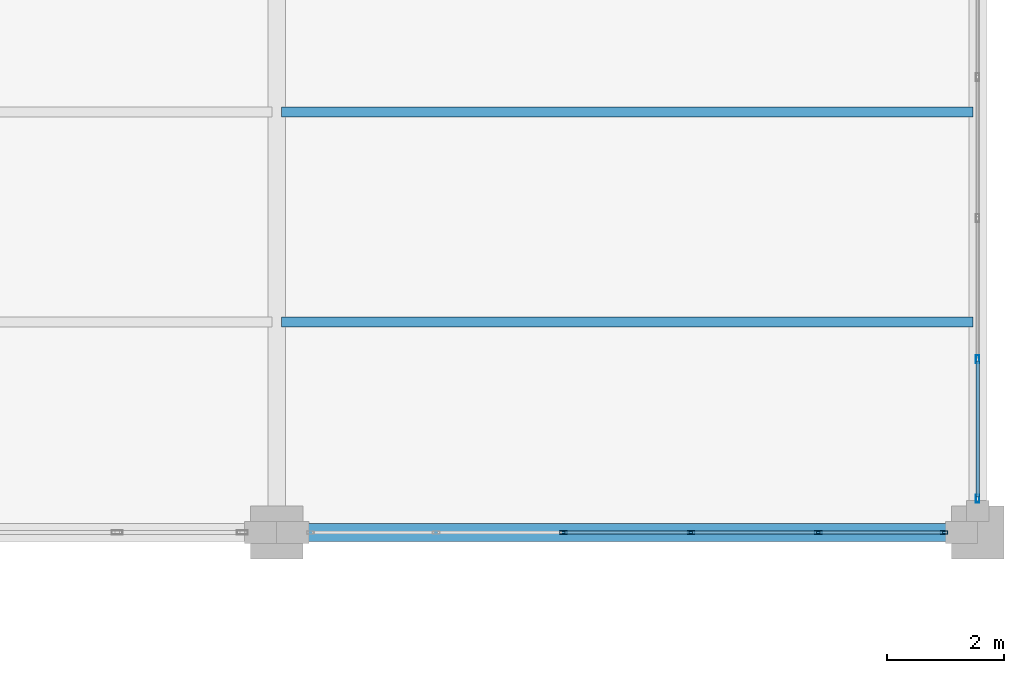
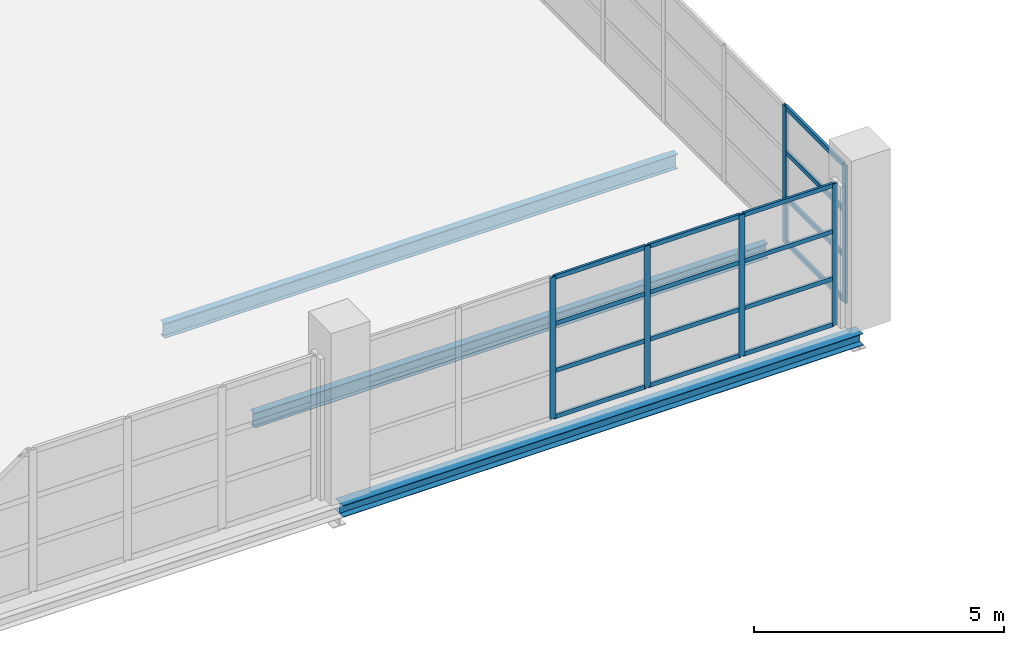
# One storey, part 106 of 158: 22 members, 3 beams, 2 elements without a shape of their own.
"""IFC4 building model written with IfcOpenShell, lengths in metres."""

from ifc_helpers import new_model, si_unit, direction, frame, origin, origin_2d, place, context, subcontext, project, spatial, hollow_rectangle, i_section, extrude, material, layer, layer_set, material_profile, profile_set, type_object, element, aggregate, save


model = new_model("IFC4")

# Units and contexts
model_context = context("Model", 3, precision=1e-05, world=origin(), true_north=direction((0.0, 1.0)))
body_context = subcontext(model_context, "Body", "Model", "MODEL_VIEW")
ifc_project = project(units=[si_unit("LENGTHUNIT", "METRE"), si_unit("AREAUNIT", "SQUARE_METRE"), si_unit("VOLUMEUNIT", "CUBIC_METRE"), si_unit("PLANEANGLEUNIT", "RADIAN"), si_unit("MASSUNIT", "GRAM", prefix="KILO")], contexts=[model_context])

# Site, building, storey
site_placement = place(None, origin())
site = spatial("IfcSite", under=ifc_project, at=site_placement, CompositionType="ELEMENT")
building_placement = place(site_placement, origin())
building = spatial("IfcBuilding", under=site, at=building_placement, Name="Zilviju Railside Exhibition Hall", CompositionType="ELEMENT")
storey_placement = place(building_placement, frame((0.0, 0.0, 4.199951171875)))
storey = spatial("IfcBuildingStorey", under=building, at=storey_placement, Name="L02", CompositionType="ELEMENT", Elevation=4.199951171875)

# Beams
ifc_material_1 = material(Name="Steel S355J2", Category="steel")
ifc_material_profile_1 = material_profile(ifc_material_1, i_section(OverallWidth=0.300048828125, OverallDepth=0.2900390625, WebThickness=0.008544921875, FlangeThickness=0.013916015625, at=origin_2d()), Name="HEA 300")
ifc_profile_set_1 = profile_set([ifc_material_profile_1], Name="Steel S355J2")
beam_type_1 = type_object("IfcBeamType", Name="BM-HEA300", PredefinedType="SPANDREL", material=ifc_profile_set_1)
beam_placement = place(storey_placement, frame((204.0, 84.0, -0.474853515625), z_axis=(1.0, 0.0, 0.0), x_axis=(0.0, 1.0, 0.0)))
element("IfcBeam", 1, at=beam_placement, inside=storey, type_object=beam_type_1, Name="Primary Girder L02 Y=84.0 (204.0..216.0)", PredefinedType="SPANDREL", context=body_context, shape_type="SweptSolid", body=[
    extrude(i_section(OverallWidth=0.300048828125, OverallDepth=0.2900390625, WebThickness=0.008544921875, FlangeThickness=0.013916015625, at=origin_2d()), origin(), (0.0, 0.0, 1.0), 12.0),
])
ifc_material_profile_2 = material_profile(ifc_material_1, i_section(OverallWidth=0.169921875, OverallDepth=0.360107421875, WebThickness=0.008056640625, FlangeThickness=0.0126953125, at=origin_2d()), Name="IPE 360")
ifc_profile_set_2 = profile_set([ifc_material_profile_2], Name="Steel S355J2")
beam_type_2 = type_object("IfcBeamType", Name="BM-IPE360", PredefinedType="JOIST", material=ifc_profile_set_2)
for number, where, z_axis, x_axis, name in (
    (2, (204.080078125, 87.60009765625, -0.510009765625), (1.0, 0.0, 0.0), (0.0, 1.0, 0.0), "Composite Floor Joist L02 Y=87.60 (204.0..216.0)"),
    (3, (204.080078125, 91.199951171875, -0.510009765625), (1.0, 0.0, 0.0), (0.0, 1.0, 0.0), "Composite Floor Joist L02 Y=91.20 (204.0..216.0)"),
):
    element("IfcBeam", number, at=place(storey_placement, frame(where, z_axis=z_axis, x_axis=x_axis)), inside=storey, type_object=beam_type_2, Name=name, PredefinedType="JOIST", context=body_context, shape_type="SweptSolid", body=[
        extrude(i_section(OverallWidth=0.169921875, OverallDepth=0.360107421875, WebThickness=0.008056640625, FlangeThickness=0.0126953125, at=origin_2d()), origin(), (0.0, 0.0, 1.0), 11.83984375),
    ])

# Curtain wall, members
ifc_material_2 = material(Name="Thermally broken aluminium-steel triple-glazed curtain wall", Category="steel")
ifc_layer_1 = layer(ifc_material_2, 0.179931640625)
ifc_layer_set_1 = layer_set([ifc_layer_1], Name="Thermally broken aluminium-steel triple-glazed curtain wall")
curtain_wall_type_1 = type_object("IfcCurtainWallType", Name="CW-BAY-12", PredefinedType="USERDEFINED", material=ifc_layer_set_1)
curtain_wall_1_placement = place(storey_placement, origin())
curtain_wall_1 = element("IfcCurtainWall", 4, at=curtain_wall_1_placement, inside=storey, type_object=curtain_wall_type_1, Name="North Hall Garden Court Curtain Wall L02 (204..216)", ObjectType="GLAZED CURTAIN WALL", PredefinedType="USERDEFINED")
ifc_material_3 = material(Name="Thermally broken anodized aluminium mullion", Category="aluminium")
ifc_material_profile_3 = material_profile(ifc_material_3, hollow_rectangle(XDim=0.054931640625, YDim=0.1298828125, WallThickness=0.0048828125, at=origin_2d()), Name="MULLION 130x55x5")
ifc_profile_set_3 = profile_set([ifc_material_profile_3], Name="Thermally broken anodized aluminium mullion")
member_type_1 = type_object("IfcMemberType", Name="CWM-55x130", PredefinedType="MULLION", material=ifc_profile_set_3)
member_1_placement = place(storey_placement, frame((215.422607421875, 84.0, 0.0), z_axis=(0.0, 0.0, 1.0), x_axis=(0.0, -1.0, 0.0)))
member_1 = element("IfcMember", 5, at=member_1_placement, type_object=member_type_1, Name="CW-12 mullion 1", PredefinedType="MULLION", context=body_context, shape_type="SweptSolid", body=[
    extrude(hollow_rectangle(XDim=0.054931640625, YDim=0.1298828125, WallThickness=0.0048828125, at=origin_2d()), origin(), (0.0, 0.0, 1.0), 3.449951171875),
])
member_2_placement = place(storey_placement, frame((213.27001953125, 84.0, 0.0), z_axis=(0.0, 0.0, 1.0), x_axis=(0.0, -1.0, 0.0)))
member_2 = element("IfcMember", 6, at=member_2_placement, type_object=member_type_1, Name="CW-12 mullion 2", PredefinedType="MULLION", context=body_context, shape_type="SweptSolid", body=[
    extrude(hollow_rectangle(XDim=0.054931640625, YDim=0.1298828125, WallThickness=0.0048828125, at=origin_2d()), origin(), (0.0, 0.0, 1.0), 3.449951171875),
])
member_3_placement = place(storey_placement, frame((211.090087890625, 84.0, 0.0), z_axis=(0.0, 0.0, 1.0), x_axis=(0.0, -1.0, 0.0)))
member_3 = element("IfcMember", 7, at=member_3_placement, type_object=member_type_1, Name="CW-12 mullion 3", PredefinedType="MULLION", context=body_context, shape_type="SweptSolid", body=[
    extrude(hollow_rectangle(XDim=0.054931640625, YDim=0.1298828125, WallThickness=0.0048828125, at=origin_2d()), origin(), (0.0, 0.0, 1.0), 3.449951171875),
])
member_4_placement = place(storey_placement, frame((208.909912109375, 84.0, 0.0), z_axis=(0.0, 0.0, 1.0), x_axis=(0.0, -1.0, 0.0)))
member_4 = element("IfcMember", 8, at=member_4_placement, type_object=member_type_1, Name="CW-12 mullion 4", PredefinedType="MULLION", context=body_context, shape_type="SweptSolid", body=[
    extrude(hollow_rectangle(XDim=0.054931640625, YDim=0.1298828125, WallThickness=0.0048828125, at=origin_2d()), origin(), (0.0, 0.0, 1.0), 3.449951171875),
])

ifc_layer_2 = layer(ifc_material_2, 0.179931640625)
ifc_layer_set_2 = layer_set([ifc_layer_2], Name="Thermally broken aluminium-steel triple-glazed curtain wall")
curtain_wall_type_2 = type_object("IfcCurtainWallType", Name="CW-BAY-15", PredefinedType="USERDEFINED", material=ifc_layer_set_2)
curtain_wall_2_placement = place(storey_placement, origin())
curtain_wall_2 = element("IfcCurtainWall", 9, at=curtain_wall_2_placement, inside=storey, type_object=curtain_wall_type_2, Name="North Hall East Glazed Gable L02 (84..102)", ObjectType="GLAZED CURTAIN WALL", PredefinedType="USERDEFINED")
ifc_material_profile_4 = material_profile(ifc_material_3, hollow_rectangle(XDim=0.06005859375, YDim=0.139892578125, WallThickness=0.0048828125, at=origin_2d()), Name="MULLION 140x60x5")
ifc_profile_set_4 = profile_set([ifc_material_profile_4], Name="Thermally broken anodized aluminium mullion")
member_type_2 = type_object("IfcMemberType", Name="CWM-60x140", PredefinedType="MULLION", material=ifc_profile_set_4)
member_5_placement = place(storey_placement, frame((216.0, 86.96435546875, 0.0), z_axis=(0.0, 0.0, 1.0), x_axis=(1.0, 0.0, 0.0)))
member_5 = element("IfcMember", 10, at=member_5_placement, type_object=member_type_2, Name="CW-15 mullion 7", PredefinedType="MULLION", context=body_context, shape_type="SweptSolid", body=[
    extrude(hollow_rectangle(XDim=0.06005859375, YDim=0.139892578125, WallThickness=0.0048828125, at=origin_2d()), origin(), (0.0, 0.0, 1.0), 3.35009765625),
])
member_6_placement = place(storey_placement, frame((216.0, 84.580078125, 0.0), z_axis=(0.0, 0.0, 1.0), x_axis=(1.0, 0.0, 0.0)))
member_6 = element("IfcMember", 11, at=member_6_placement, type_object=member_type_2, Name="CW-15 mullion 8", PredefinedType="MULLION", context=body_context, shape_type="SweptSolid", body=[
    extrude(hollow_rectangle(XDim=0.06005859375, YDim=0.139892578125, WallThickness=0.0048828125, at=origin_2d()), origin(), (0.0, 0.0, 1.0), 3.35009765625),
])

# Member
ifc_material_4 = material(Name="Thermally broken anodized aluminium transom", Category="aluminium")
ifc_material_profile_5 = material_profile(ifc_material_4, hollow_rectangle(XDim=0.054931640625, YDim=0.10498046875, WallThickness=0.0048828125, at=origin_2d()), Name="TRANSOM 105x55x5")
ifc_profile_set_5 = profile_set([ifc_material_profile_5], Name="Thermally broken anodized aluminium transom")
member_type_3 = type_object("IfcMemberType", Name="CWT-55x105", PredefinedType="USERDEFINED", material=ifc_profile_set_5)
member_7_placement = place(storey_placement, frame((215.39501953125, 84.0, 0.027587890625), z_axis=(-1.0, 0.0, 0.0), x_axis=(0.0, -1.0, 0.0)))
member_7 = element("IfcMember", 12, at=member_7_placement, type_object=member_type_3, Name="CW-12 transom 1.1", ObjectType="TRANSOM", PredefinedType="USERDEFINED", context=body_context, shape_type="SweptSolid", body=[
    extrude(hollow_rectangle(XDim=0.054931640625, YDim=0.10498046875, WallThickness=0.0048828125, at=origin_2d()), origin(), (0.0, 0.0, 1.0), 2.097412109375),
])

member_8_placement = place(storey_placement, frame((215.39501953125, 84.0, 1.150146484375), z_axis=(-1.0, 0.0, 0.0), x_axis=(0.0, -1.0, 0.0)))
member_8 = element("IfcMember", 13, at=member_8_placement, type_object=member_type_3, Name="CW-12 transom 1.2", ObjectType="TRANSOM", PredefinedType="USERDEFINED", context=body_context, shape_type="SweptSolid", body=[
    extrude(hollow_rectangle(XDim=0.054931640625, YDim=0.10498046875, WallThickness=0.0048828125, at=origin_2d()), origin(), (0.0, 0.0, 1.0), 2.097412109375),
])

member_9_placement = place(storey_placement, frame((215.39501953125, 84.0, 2.300048828125), z_axis=(-1.0, 0.0, 0.0), x_axis=(0.0, -1.0, 0.0)))
member_9 = element("IfcMember", 14, at=member_9_placement, type_object=member_type_3, Name="CW-12 transom 1.3", ObjectType="TRANSOM", PredefinedType="USERDEFINED", context=body_context, shape_type="SweptSolid", body=[
    extrude(hollow_rectangle(XDim=0.054931640625, YDim=0.10498046875, WallThickness=0.0048828125, at=origin_2d()), origin(), (0.0, 0.0, 1.0), 2.097412109375),
])

member_10_placement = place(storey_placement, frame((215.39501953125, 84.0, 3.422607421875), z_axis=(-1.0, 0.0, 0.0), x_axis=(0.0, -1.0, 0.0)))
member_10 = element("IfcMember", 15, at=member_10_placement, type_object=member_type_3, Name="CW-12 transom 1.4", ObjectType="TRANSOM", PredefinedType="USERDEFINED", context=body_context, shape_type="SweptSolid", body=[
    extrude(hollow_rectangle(XDim=0.054931640625, YDim=0.10498046875, WallThickness=0.0048828125, at=origin_2d()), origin(), (0.0, 0.0, 1.0), 2.097412109375),
])

member_11_placement = place(storey_placement, frame((213.242431640625, 84.0, 0.027587890625), z_axis=(-1.0, 0.0, 0.0), x_axis=(0.0, -1.0, 0.0)))
member_11 = element("IfcMember", 16, at=member_11_placement, type_object=member_type_3, Name="CW-12 transom 2.1", ObjectType="TRANSOM", PredefinedType="USERDEFINED", context=body_context, shape_type="SweptSolid", body=[
    extrude(hollow_rectangle(XDim=0.054931640625, YDim=0.10498046875, WallThickness=0.0048828125, at=origin_2d()), origin(), (0.0, 0.0, 1.0), 2.125),
])

member_12_placement = place(storey_placement, frame((213.242431640625, 84.0, 1.150146484375), z_axis=(-1.0, 0.0, 0.0), x_axis=(0.0, -1.0, 0.0)))
member_12 = element("IfcMember", 17, at=member_12_placement, type_object=member_type_3, Name="CW-12 transom 2.2", ObjectType="TRANSOM", PredefinedType="USERDEFINED", context=body_context, shape_type="SweptSolid", body=[
    extrude(hollow_rectangle(XDim=0.054931640625, YDim=0.10498046875, WallThickness=0.0048828125, at=origin_2d()), origin(), (0.0, 0.0, 1.0), 2.125),
])

member_13_placement = place(storey_placement, frame((213.242431640625, 84.0, 2.300048828125), z_axis=(-1.0, 0.0, 0.0), x_axis=(0.0, -1.0, 0.0)))
member_13 = element("IfcMember", 18, at=member_13_placement, type_object=member_type_3, Name="CW-12 transom 2.3", ObjectType="TRANSOM", PredefinedType="USERDEFINED", context=body_context, shape_type="SweptSolid", body=[
    extrude(hollow_rectangle(XDim=0.054931640625, YDim=0.10498046875, WallThickness=0.0048828125, at=origin_2d()), origin(), (0.0, 0.0, 1.0), 2.125),
])

member_14_placement = place(storey_placement, frame((213.242431640625, 84.0, 3.422607421875), z_axis=(-1.0, 0.0, 0.0), x_axis=(0.0, -1.0, 0.0)))
member_14 = element("IfcMember", 19, at=member_14_placement, type_object=member_type_3, Name="CW-12 transom 2.4", ObjectType="TRANSOM", PredefinedType="USERDEFINED", context=body_context, shape_type="SweptSolid", body=[
    extrude(hollow_rectangle(XDim=0.054931640625, YDim=0.10498046875, WallThickness=0.0048828125, at=origin_2d()), origin(), (0.0, 0.0, 1.0), 2.125),
])

member_15_placement = place(storey_placement, frame((211.0625, 84.0, 0.027587890625), z_axis=(-1.0, 0.0, 0.0), x_axis=(0.0, -1.0, 0.0)))
member_15 = element("IfcMember", 20, at=member_15_placement, type_object=member_type_3, Name="CW-12 transom 3.1", ObjectType="TRANSOM", PredefinedType="USERDEFINED", context=body_context, shape_type="SweptSolid", body=[
    extrude(hollow_rectangle(XDim=0.054931640625, YDim=0.10498046875, WallThickness=0.0048828125, at=origin_2d()), origin(), (0.0, 0.0, 1.0), 2.125),
])

member_16_placement = place(storey_placement, frame((211.0625, 84.0, 1.150146484375), z_axis=(-1.0, 0.0, 0.0), x_axis=(0.0, -1.0, 0.0)))
member_16 = element("IfcMember", 21, at=member_16_placement, type_object=member_type_3, Name="CW-12 transom 3.2", ObjectType="TRANSOM", PredefinedType="USERDEFINED", context=body_context, shape_type="SweptSolid", body=[
    extrude(hollow_rectangle(XDim=0.054931640625, YDim=0.10498046875, WallThickness=0.0048828125, at=origin_2d()), origin(), (0.0, 0.0, 1.0), 2.125),
])

member_17_placement = place(storey_placement, frame((211.0625, 84.0, 2.300048828125), z_axis=(-1.0, 0.0, 0.0), x_axis=(0.0, -1.0, 0.0)))
member_17 = element("IfcMember", 22, at=member_17_placement, type_object=member_type_3, Name="CW-12 transom 3.3", ObjectType="TRANSOM", PredefinedType="USERDEFINED", context=body_context, shape_type="SweptSolid", body=[
    extrude(hollow_rectangle(XDim=0.054931640625, YDim=0.10498046875, WallThickness=0.0048828125, at=origin_2d()), origin(), (0.0, 0.0, 1.0), 2.125),
])

member_18_placement = place(storey_placement, frame((211.0625, 84.0, 3.422607421875), z_axis=(-1.0, 0.0, 0.0), x_axis=(0.0, -1.0, 0.0)))
member_18 = element("IfcMember", 23, at=member_18_placement, type_object=member_type_3, Name="CW-12 transom 3.4", ObjectType="TRANSOM", PredefinedType="USERDEFINED", context=body_context, shape_type="SweptSolid", body=[
    extrude(hollow_rectangle(XDim=0.054931640625, YDim=0.10498046875, WallThickness=0.0048828125, at=origin_2d()), origin(), (0.0, 0.0, 1.0), 2.125),
])

aggregate(curtain_wall_1, [member_1, member_2, member_3, member_4, member_7, member_8, member_9, member_10, member_11, member_12, member_13, member_14, member_15, member_16, member_17, member_18])

ifc_material_profile_6 = material_profile(ifc_material_4, hollow_rectangle(XDim=0.06005859375, YDim=0.110107421875, WallThickness=0.0048828125, at=origin_2d()), Name="TRANSOM 110x60x5")
ifc_profile_set_6 = profile_set([ifc_material_profile_6], Name="Thermally broken anodized aluminium transom")
member_type_4 = type_object("IfcMemberType", Name="CWT-60x110", PredefinedType="USERDEFINED", material=ifc_profile_set_6)
member_19_placement = place(storey_placement, frame((216.0, 86.934326171875, 0.030029296875), z_axis=(0.0, -1.0, 0.0), x_axis=(1.0, 0.0, 0.0)))
member_19 = element("IfcMember", 24, at=member_19_placement, type_object=member_type_4, Name="CW-15 transom 7.1", ObjectType="TRANSOM", PredefinedType="USERDEFINED", context=body_context, shape_type="SweptSolid", body=[
    extrude(hollow_rectangle(XDim=0.06005859375, YDim=0.110107421875, WallThickness=0.0048828125, at=origin_2d()), origin(), (0.0, 0.0, 1.0), 2.32421875),
])

member_20_placement = place(storey_placement, frame((216.0, 86.934326171875, 1.116943359375), z_axis=(0.0, -1.0, 0.0), x_axis=(1.0, 0.0, 0.0)))
member_20 = element("IfcMember", 25, at=member_20_placement, type_object=member_type_4, Name="CW-15 transom 7.2", ObjectType="TRANSOM", PredefinedType="USERDEFINED", context=body_context, shape_type="SweptSolid", body=[
    extrude(hollow_rectangle(XDim=0.06005859375, YDim=0.110107421875, WallThickness=0.0048828125, at=origin_2d()), origin(), (0.0, 0.0, 1.0), 2.32421875),
])

member_21_placement = place(storey_placement, frame((216.0, 86.934326171875, 2.233154296875), z_axis=(0.0, -1.0, 0.0), x_axis=(1.0, 0.0, 0.0)))
member_21 = element("IfcMember", 26, at=member_21_placement, type_object=member_type_4, Name="CW-15 transom 7.3", ObjectType="TRANSOM", PredefinedType="USERDEFINED", context=body_context, shape_type="SweptSolid", body=[
    extrude(hollow_rectangle(XDim=0.06005859375, YDim=0.110107421875, WallThickness=0.0048828125, at=origin_2d()), origin(), (0.0, 0.0, 1.0), 2.32421875),
])

member_22_placement = place(storey_placement, frame((216.0, 86.934326171875, 3.320068359375), z_axis=(0.0, -1.0, 0.0), x_axis=(1.0, 0.0, 0.0)))
member_22 = element("IfcMember", 27, at=member_22_placement, type_object=member_type_4, Name="CW-15 transom 7.4", ObjectType="TRANSOM", PredefinedType="USERDEFINED", context=body_context, shape_type="SweptSolid", body=[
    extrude(hollow_rectangle(XDim=0.06005859375, YDim=0.110107421875, WallThickness=0.0048828125, at=origin_2d()), origin(), (0.0, 0.0, 1.0), 2.32421875),
])

aggregate(curtain_wall_2, [member_5, member_6, member_19, member_20, member_21, member_22])

save(model, "model.ifc")
